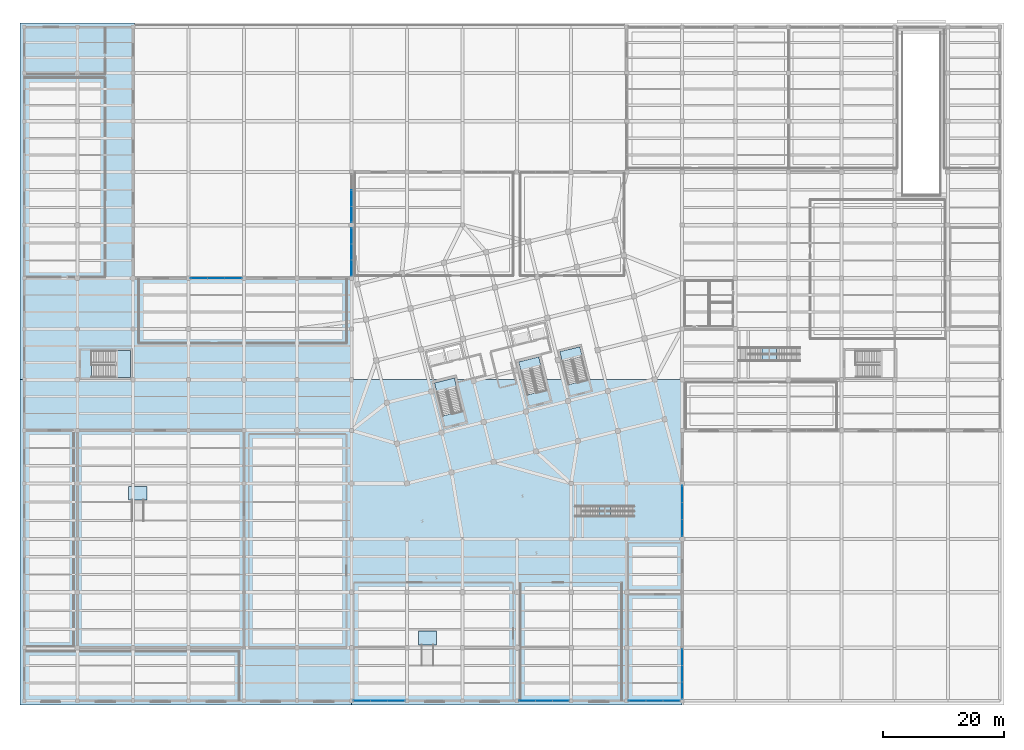
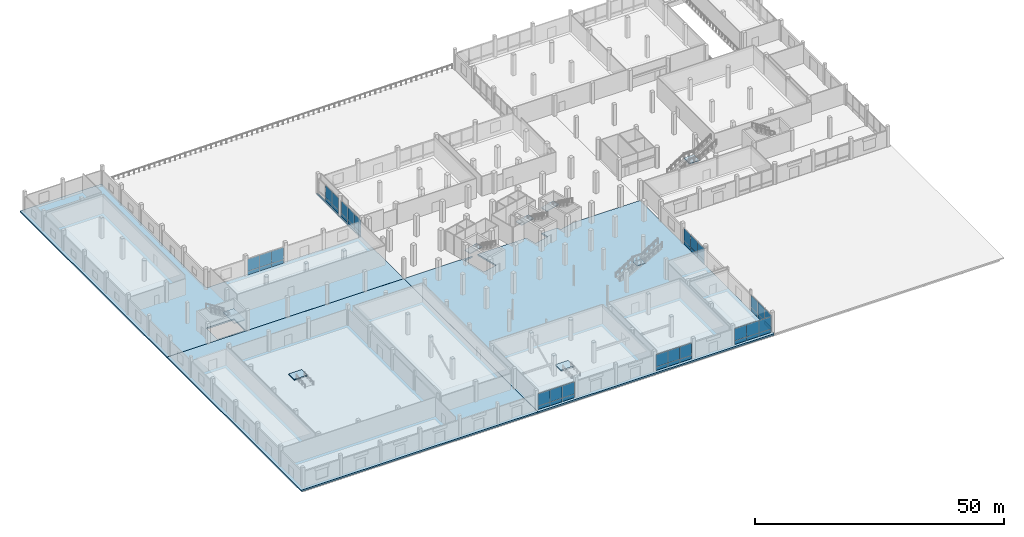
# One storey, part 54 of 73: 46 plates, 11 slabs, 14 elements without a shape of their own.
"""IFC4 building model written with IfcOpenShell, lengths in metres."""

from ifc_helpers import new_model, si_unit, direction, frame, origin, origin_2d, place, context, subcontext, project, spatial, polyline, rectangle, outline, extrude, material, layer, layer_set, type_object, element, aggregate, save


model = new_model("IFC4")

# Units and contexts
model_context = context("Model", 3, precision=1e-05, world=origin(), true_north=direction((0.0, 1.0)))
body_context = subcontext(model_context, "Body", "Model", "MODEL_VIEW")
ifc_project = project(units=[si_unit("LENGTHUNIT", "METRE"), si_unit("AREAUNIT", "SQUARE_METRE"), si_unit("VOLUMEUNIT", "CUBIC_METRE"), si_unit("PLANEANGLEUNIT", "RADIAN"), si_unit("MASSUNIT", "GRAM", prefix="KILO")], contexts=[model_context])

# Site, building, storey
site_placement = place(None, origin())
site = spatial("IfcSite", under=ifc_project, at=site_placement, CompositionType="ELEMENT")
building_placement = place(site_placement, origin())
building = spatial("IfcBuilding", under=site, at=building_placement, Name="Meriwether Solvik Hall", CompositionType="ELEMENT")
storey_placement = place(building_placement, origin())
storey = spatial("IfcBuildingStorey", under=building, at=storey_placement, Name="L00", CompositionType="ELEMENT", Elevation=0.0)

# Curtain wall, plates
ifc_material_1 = material(Name="Thermally Broken Anodised Aluminium 6063-T6 and Low-E Glass", Category="aluminium")
ifc_layer_1 = layer(ifc_material_1, 0.179931640625)
ifc_layer_set_1 = layer_set([ifc_layer_1], Name="Thermally Broken Anodised Aluminium 6063-T6 and Low-E Glass")
curtain_wall_type = type_object("IfcCurtainWallType", Name="CW-SF-POD-A", PredefinedType="USERDEFINED", material=ifc_layer_set_1)
curtain_wall_1_placement = place(storey_placement, origin())
curtain_wall_1 = element("IfcCurtainWall", 1, at=curtain_wall_1_placement, inside=storey, type_object=curtain_wall_type, Name="Curtain Wall wing_XA_7_6 (L00)", ObjectType="STICK STOREFRONT GLAZING", PredefinedType="USERDEFINED")
ifc_material_2 = material(Name="Acoustic Laminated Insulating Glass", Category="glass")
ifc_layer_2 = layer(ifc_material_2, 0.035888671875)
ifc_layer_set_2 = layer_set([ifc_layer_2], Name="Acoustic Laminated Insulating Glass")
plate_type_1 = type_object("IfcPlateType", Name="PLT-GLZ-270X260", PredefinedType="CURTAIN_PANEL", material=ifc_layer_set_2)
plate_1_placement = place(storey_placement, frame((66.822998046875, 5.199951171875, 0.8798828125), z_axis=(0.0, 0.0, 1.0), x_axis=(-1.0, 0.0, 0.0)))
plate_1 = element("IfcPlate", 2, at=plate_1_placement, type_object=plate_type_1, Name="Low-E Vision Glazing Panel 1", PredefinedType="CURTAIN_PANEL", context=body_context, shape_type="SweptSolid", body=[
    extrude(rectangle(XDim=2.7958984375, YDim=0.033935546875, at=origin_2d()), origin(), (0.0, 0.0, 1.0), 3.0),
])
plate_2_placement = place(storey_placement, frame((64.0, 5.199951171875, 0.8798828125), z_axis=(0.0, 0.0, 1.0), x_axis=(-1.0, 0.0, 0.0)))
plate_2 = element("IfcPlate", 3, at=plate_2_placement, type_object=plate_type_1, Name="Low-E Vision Glazing Panel 2", PredefinedType="CURTAIN_PANEL", context=body_context, shape_type="SweptSolid", body=[
    extrude(rectangle(XDim=2.833984375, YDim=0.033935546875, at=origin_2d()), origin(), (0.0, 0.0, 1.0), 3.0),
])
plate_3_placement = place(storey_placement, frame((61.177001953125, 5.199951171875, 0.8798828125), z_axis=(0.0, 0.0, 1.0), x_axis=(-1.0, 0.0, 0.0)))
plate_3 = element("IfcPlate", 4, at=plate_3_placement, type_object=plate_type_1, Name="Low-E Vision Glazing Panel 3", PredefinedType="CURTAIN_PANEL", context=body_context, shape_type="SweptSolid", body=[
    extrude(rectangle(XDim=2.7958984375, YDim=0.033935546875, at=origin_2d()), origin(), (0.0, 0.0, 1.0), 3.0),
])

curtain_wall_2_placement = place(storey_placement, origin())
curtain_wall_2 = element("IfcCurtainWall", 5, at=curtain_wall_2_placement, inside=storey, type_object=curtain_wall_type, Name="Curtain Wall wing_XA_10_9 (L00)", ObjectType="STICK STOREFRONT GLAZING", PredefinedType="USERDEFINED")
plate_4_placement = place(storey_placement, frame((94.056396484375, 5.199951171875, 0.8798828125), z_axis=(0.0, 0.0, 1.0), x_axis=(-1.0, 0.0, 0.0)))
plate_4 = element("IfcPlate", 6, at=plate_4_placement, type_object=plate_type_1, Name="Low-E Vision Glazing Panel 1", PredefinedType="CURTAIN_PANEL", context=body_context, shape_type="SweptSolid", body=[
    extrude(rectangle(XDim=2.729248046875, YDim=0.033935546875, at=origin_2d()), origin(), (0.0, 0.0, 1.0), 3.0),
])
plate_5_placement = place(storey_placement, frame((91.300048828125, 5.199951171875, 0.8798828125), z_axis=(0.0, 0.0, 1.0), x_axis=(-1.0, 0.0, 0.0)))
plate_5 = element("IfcPlate", 7, at=plate_5_placement, type_object=plate_type_1, Name="Low-E Vision Glazing Panel 2", PredefinedType="CURTAIN_PANEL", context=body_context, shape_type="SweptSolid", body=[
    extrude(rectangle(XDim=2.767333984375, YDim=0.033935546875, at=origin_2d()), origin(), (0.0, 0.0, 1.0), 3.0),
])
plate_6_placement = place(storey_placement, frame((88.543701171875, 5.199951171875, 0.8798828125), z_axis=(0.0, 0.0, 1.0), x_axis=(-1.0, 0.0, 0.0)))
plate_6 = element("IfcPlate", 8, at=plate_6_placement, type_object=plate_type_1, Name="Low-E Vision Glazing Panel 3", PredefinedType="CURTAIN_PANEL", context=body_context, shape_type="SweptSolid", body=[
    extrude(rectangle(XDim=2.729248046875, YDim=0.033935546875, at=origin_2d()), origin(), (0.0, 0.0, 1.0), 3.0),
])

curtain_wall_3_placement = place(storey_placement, origin())
curtain_wall_3 = element("IfcCurtainWall", 9, at=curtain_wall_3_placement, inside=storey, type_object=curtain_wall_type, Name="Curtain Wall wing_XA_12_11 (L00)", ObjectType="STICK STOREFRONT GLAZING", PredefinedType="USERDEFINED")
plate_7_placement = place(storey_placement, frame((112.423095703125, 5.199951171875, 0.8798828125), z_axis=(0.0, 0.0, 1.0), x_axis=(-1.0, 0.0, 0.0)))
plate_7 = element("IfcPlate", 10, at=plate_7_placement, type_object=plate_type_1, Name="Low-E Vision Glazing Panel 1", PredefinedType="CURTAIN_PANEL", context=body_context, shape_type="SweptSolid", body=[
    extrude(rectangle(XDim=2.7958984375, YDim=0.033935546875, at=origin_2d()), origin(), (0.0, 0.0, 1.0), 3.0),
])
plate_8_placement = place(storey_placement, frame((109.60009765625, 5.199951171875, 0.8798828125), z_axis=(0.0, 0.0, 1.0), x_axis=(-1.0, 0.0, 0.0)))
plate_8 = element("IfcPlate", 11, at=plate_8_placement, type_object=plate_type_1, Name="Low-E Vision Glazing Panel 2", PredefinedType="CURTAIN_PANEL", context=body_context, shape_type="SweptSolid", body=[
    extrude(rectangle(XDim=2.833984375, YDim=0.033935546875, at=origin_2d()), origin(), (0.0, 0.0, 1.0), 3.0),
])
plate_9_placement = place(storey_placement, frame((106.777099609375, 5.199951171875, 0.8798828125), z_axis=(0.0, 0.0, 1.0), x_axis=(-1.0, 0.0, 0.0)))
plate_9 = element("IfcPlate", 12, at=plate_9_placement, type_object=plate_type_1, Name="Low-E Vision Glazing Panel 3", PredefinedType="CURTAIN_PANEL", context=body_context, shape_type="SweptSolid", body=[
    extrude(rectangle(XDim=2.7958984375, YDim=0.033935546875, at=origin_2d()), origin(), (0.0, 0.0, 1.0), 3.0),
])

curtain_wall_4_placement = place(storey_placement, origin())
curtain_wall_4 = element("IfcCurtainWall", 13, at=curtain_wall_4_placement, inside=storey, type_object=curtain_wall_type, Name="Curtain Wall wing_XI_4_19 (L00)", ObjectType="STICK STOREFRONT GLAZING", PredefinedType="USERDEFINED")
plate_10_placement = place(storey_placement, frame((34.193603515625, 75.199951171875, 0.8798828125), z_axis=(0.0, 0.0, 1.0), x_axis=(1.0, 0.0, 0.0)))
plate_10 = element("IfcPlate", 14, at=plate_10_placement, type_object=plate_type_1, Name="Low-E Vision Glazing Panel 1", PredefinedType="CURTAIN_PANEL", context=body_context, shape_type="SweptSolid", body=[
    extrude(rectangle(XDim=2.779296875, YDim=0.033935546875, at=origin_2d()), origin(), (0.0, 0.0, 1.0), 3.0),
])
plate_11_placement = place(storey_placement, frame((37.0, 75.199951171875, 0.8798828125), z_axis=(0.0, 0.0, 1.0), x_axis=(1.0, 0.0, 0.0)))
plate_11 = element("IfcPlate", 15, at=plate_11_placement, type_object=plate_type_1, Name="Low-E Vision Glazing Panel 2", PredefinedType="CURTAIN_PANEL", context=body_context, shape_type="SweptSolid", body=[
    extrude(rectangle(XDim=2.8173828125, YDim=0.033935546875, at=origin_2d()), origin(), (0.0, 0.0, 1.0), 3.0),
])
plate_12_placement = place(storey_placement, frame((39.806396484375, 75.199951171875, 0.8798828125), z_axis=(0.0, 0.0, 1.0), x_axis=(1.0, 0.0, 0.0)))
plate_12 = element("IfcPlate", 16, at=plate_12_placement, type_object=plate_type_1, Name="Low-E Vision Glazing Panel 3", PredefinedType="CURTAIN_PANEL", context=body_context, shape_type="SweptSolid", body=[
    extrude(rectangle(XDim=2.779296875, YDim=0.033935546875, at=origin_2d()), origin(), (0.0, 0.0, 1.0), 3.0),
])

curtain_wall_5_placement = place(storey_placement, origin())
curtain_wall_5 = element("IfcCurtainWall", 17, at=curtain_wall_5_placement, inside=storey, type_object=curtain_wall_type, Name="Curtain Wall wing_Y7_9_54 (L00)", ObjectType="STICK STOREFRONT GLAZING", PredefinedType="USERDEFINED")
plate_13_placement = place(storey_placement, frame((59.39990234375, 76.910400390625, 0.8798828125), z_axis=(0.0, 0.0, 1.0), x_axis=(0.0, 1.0, 0.0)))
plate_13 = element("IfcPlate", 18, at=plate_13_placement, type_object=plate_type_1, Name="Low-E Vision Glazing Panel 1", PredefinedType="CURTAIN_PANEL", context=body_context, shape_type="SweptSolid", body=[
    extrude(rectangle(XDim=2.61279296875, YDim=0.033935546875, at=origin_2d()), origin(), (0.0, 0.0, 1.0), 3.0),
])
plate_14_placement = place(storey_placement, frame((59.39990234375, 79.550048828125, 0.8798828125), z_axis=(0.0, 0.0, 1.0), x_axis=(0.0, 1.0, 0.0)))
plate_14 = element("IfcPlate", 19, at=plate_14_placement, type_object=plate_type_1, Name="Low-E Vision Glazing Panel 2", PredefinedType="CURTAIN_PANEL", context=body_context, shape_type="SweptSolid", body=[
    extrude(rectangle(XDim=2.650634765625, YDim=0.033935546875, at=origin_2d()), origin(), (0.0, 0.0, 1.0), 3.0),
])
plate_15_placement = place(storey_placement, frame((59.39990234375, 82.189697265625, 0.8798828125), z_axis=(0.0, 0.0, 1.0), x_axis=(0.0, 1.0, 0.0)))
plate_15 = element("IfcPlate", 20, at=plate_15_placement, type_object=plate_type_1, Name="Low-E Vision Glazing Panel 3", PredefinedType="CURTAIN_PANEL", context=body_context, shape_type="SweptSolid", body=[
    extrude(rectangle(XDim=2.61279296875, YDim=0.033935546875, at=origin_2d()), origin(), (0.0, 0.0, 1.0), 3.0),
])

curtain_wall_6_placement = place(storey_placement, origin())
curtain_wall_6 = element("IfcCurtainWall", 21, at=curtain_wall_6_placement, inside=storey, type_object=curtain_wall_type, Name="Curtain Wall wing_Y7_10_55 (L00)", ObjectType="STICK STOREFRONT GLAZING", PredefinedType="USERDEFINED")
plate_16_placement = place(storey_placement, frame((59.39990234375, 85.810302734375, 0.8798828125), z_axis=(0.0, 0.0, 1.0), x_axis=(0.0, 1.0, 0.0)))
plate_16 = element("IfcPlate", 22, at=plate_16_placement, type_object=plate_type_1, Name="Low-E Vision Glazing Panel 1", PredefinedType="CURTAIN_PANEL", context=body_context, shape_type="SweptSolid", body=[
    extrude(rectangle(XDim=2.61279296875, YDim=0.033935546875, at=origin_2d()), origin(), (0.0, 0.0, 1.0), 3.0),
])
plate_17_placement = place(storey_placement, frame((59.39990234375, 88.449951171875, 0.8798828125), z_axis=(0.0, 0.0, 1.0), x_axis=(0.0, 1.0, 0.0)))
plate_17 = element("IfcPlate", 23, at=plate_17_placement, type_object=plate_type_1, Name="Low-E Vision Glazing Panel 2", PredefinedType="CURTAIN_PANEL", context=body_context, shape_type="SweptSolid", body=[
    extrude(rectangle(XDim=2.650634765625, YDim=0.033935546875, at=origin_2d()), origin(), (0.0, 0.0, 1.0), 3.0),
])

curtain_wall_7_placement = place(storey_placement, origin())
curtain_wall_7 = element("IfcCurtainWall", 24, at=curtain_wall_7_placement, inside=storey, type_object=curtain_wall_type, Name="Curtain Wall wing_Y13_1_59 (L00)", ObjectType="STICK STOREFRONT GLAZING", PredefinedType="USERDEFINED")
plate_18_placement = place(storey_placement, frame((114.199951171875, 12.405517578125, 0.8798828125), z_axis=(0.0, 0.0, 1.0), x_axis=(0.0, -1.0, 0.0)))
plate_18 = element("IfcPlate", 25, at=plate_18_placement, type_object=plate_type_1, Name="Low-E Vision Glazing Panel 1", PredefinedType="CURTAIN_PANEL", context=body_context, shape_type="SweptSolid", body=[
    extrude(rectangle(XDim=2.708984375, YDim=0.033935546875, at=origin_2d()), origin(), (0.0, 0.0, 1.0), 3.0),
])
plate_19_placement = place(storey_placement, frame((114.199951171875, 9.66943359375, 0.8798828125), z_axis=(0.0, 0.0, 1.0), x_axis=(0.0, -1.0, 0.0)))
plate_19 = element("IfcPlate", 26, at=plate_19_placement, type_object=plate_type_1, Name="Low-E Vision Glazing Panel 2", PredefinedType="CURTAIN_PANEL", context=body_context, shape_type="SweptSolid", body=[
    extrude(rectangle(XDim=2.7470703125, YDim=0.033935546875, at=origin_2d()), origin(), (0.0, 0.0, 1.0), 3.0),
])
plate_20_placement = place(storey_placement, frame((114.199951171875, 6.93359375, 0.8798828125), z_axis=(0.0, 0.0, 1.0), x_axis=(0.0, -1.0, 0.0)))
plate_20 = element("IfcPlate", 27, at=plate_20_placement, type_object=plate_type_1, Name="Low-E Vision Glazing Panel 3", PredefinedType="CURTAIN_PANEL", context=body_context, shape_type="SweptSolid", body=[
    extrude(rectangle(XDim=2.708984375, YDim=0.033935546875, at=origin_2d()), origin(), (0.0, 0.0, 1.0), 3.0),
])

curtain_wall_8_placement = place(storey_placement, origin())
curtain_wall_8 = element("IfcCurtainWall", 28, at=curtain_wall_8_placement, inside=storey, type_object=curtain_wall_type, Name="Curtain Wall wing_Y13_4_62 (L00)", ObjectType="STICK STOREFRONT GLAZING", PredefinedType="USERDEFINED")
plate_21_placement = place(storey_placement, frame((114.199951171875, 39.423095703125, 0.8798828125), z_axis=(0.0, 0.0, 1.0), x_axis=(0.0, -1.0, 0.0)))
plate_21 = element("IfcPlate", 29, at=plate_21_placement, type_object=plate_type_1, Name="Low-E Vision Glazing Panel 1", PredefinedType="CURTAIN_PANEL", context=body_context, shape_type="SweptSolid", body=[
    extrude(rectangle(XDim=2.74609375, YDim=0.033935546875, at=origin_2d()), origin(), (0.0, 0.0, 1.0), 3.0),
])
plate_22_placement = place(storey_placement, frame((114.199951171875, 36.64990234375, 0.8798828125), z_axis=(0.0, 0.0, 1.0), x_axis=(0.0, -1.0, 0.0)))
plate_22 = element("IfcPlate", 30, at=plate_22_placement, type_object=plate_type_1, Name="Low-E Vision Glazing Panel 2", PredefinedType="CURTAIN_PANEL", context=body_context, shape_type="SweptSolid", body=[
    extrude(rectangle(XDim=2.783935546875, YDim=0.033935546875, at=origin_2d()), origin(), (0.0, 0.0, 1.0), 3.0),
])
plate_23_placement = place(storey_placement, frame((114.199951171875, 33.876953125, 0.8798828125), z_axis=(0.0, 0.0, 1.0), x_axis=(0.0, -1.0, 0.0)))
plate_23 = element("IfcPlate", 31, at=plate_23_placement, type_object=plate_type_1, Name="Low-E Vision Glazing Panel 3", PredefinedType="CURTAIN_PANEL", context=body_context, shape_type="SweptSolid", body=[
    extrude(rectangle(XDim=2.74609375, YDim=0.033935546875, at=origin_2d()), origin(), (0.0, 0.0, 1.0), 3.0),
])

# Plate
ifc_material_3 = material(Name="Mineral-Wool Insulated Anodised Aluminium 6063-T6", Category="aluminium")
ifc_layer_3 = layer(ifc_material_3, 0.044921875)
ifc_layer_set_3 = layer_set([ifc_layer_3], Name="Mineral-Wool Insulated Anodised Aluminium 6063-T6")
plate_type_2 = type_object("IfcPlateType", Name="PLT-SPN-270X105", PredefinedType="CURTAIN_PANEL", material=ifc_layer_set_3)
plate_24_placement = place(storey_placement, frame((66.822998046875, 5.199951171875, 0.0), z_axis=(0.0, 0.0, 1.0), x_axis=(-1.0, 0.0, 0.0)))
plate_24 = element("IfcPlate", 32, at=plate_24_placement, type_object=plate_type_2, Name="Insulated Spandrel Panel 1", PredefinedType="CURTAIN_PANEL", context=body_context, shape_type="SweptSolid", body=[
    extrude(rectangle(XDim=2.7958984375, YDim=0.044921875, at=origin_2d()), origin(), (0.0, 0.0, 1.0), 0.8798828125),
])

plate_25_placement = place(storey_placement, frame((64.0, 5.199951171875, 0.0), z_axis=(0.0, 0.0, 1.0), x_axis=(-1.0, 0.0, 0.0)))
plate_25 = element("IfcPlate", 33, at=plate_25_placement, type_object=plate_type_2, Name="Insulated Spandrel Panel 2", PredefinedType="CURTAIN_PANEL", context=body_context, shape_type="SweptSolid", body=[
    extrude(rectangle(XDim=2.833984375, YDim=0.044921875, at=origin_2d()), origin(), (0.0, 0.0, 1.0), 0.8798828125),
])

plate_26_placement = place(storey_placement, frame((61.177001953125, 5.199951171875, 0.0), z_axis=(0.0, 0.0, 1.0), x_axis=(-1.0, 0.0, 0.0)))
plate_26 = element("IfcPlate", 34, at=plate_26_placement, type_object=plate_type_2, Name="Insulated Spandrel Panel 3", PredefinedType="CURTAIN_PANEL", context=body_context, shape_type="SweptSolid", body=[
    extrude(rectangle(XDim=2.7958984375, YDim=0.044921875, at=origin_2d()), origin(), (0.0, 0.0, 1.0), 0.8798828125),
])

aggregate(curtain_wall_1, [plate_24, plate_1, plate_25, plate_2, plate_26, plate_3])

plate_27_placement = place(storey_placement, frame((94.056396484375, 5.199951171875, 0.0), z_axis=(0.0, 0.0, 1.0), x_axis=(-1.0, 0.0, 0.0)))
plate_27 = element("IfcPlate", 35, at=plate_27_placement, type_object=plate_type_2, Name="Insulated Spandrel Panel 1", PredefinedType="CURTAIN_PANEL", context=body_context, shape_type="SweptSolid", body=[
    extrude(rectangle(XDim=2.729248046875, YDim=0.044921875, at=origin_2d()), origin(), (0.0, 0.0, 1.0), 0.8798828125),
])

plate_28_placement = place(storey_placement, frame((91.300048828125, 5.199951171875, 0.0), z_axis=(0.0, 0.0, 1.0), x_axis=(-1.0, 0.0, 0.0)))
plate_28 = element("IfcPlate", 36, at=plate_28_placement, type_object=plate_type_2, Name="Insulated Spandrel Panel 2", PredefinedType="CURTAIN_PANEL", context=body_context, shape_type="SweptSolid", body=[
    extrude(rectangle(XDim=2.767333984375, YDim=0.044921875, at=origin_2d()), origin(), (0.0, 0.0, 1.0), 0.8798828125),
])

plate_29_placement = place(storey_placement, frame((88.543701171875, 5.199951171875, 0.0), z_axis=(0.0, 0.0, 1.0), x_axis=(-1.0, 0.0, 0.0)))
plate_29 = element("IfcPlate", 37, at=plate_29_placement, type_object=plate_type_2, Name="Insulated Spandrel Panel 3", PredefinedType="CURTAIN_PANEL", context=body_context, shape_type="SweptSolid", body=[
    extrude(rectangle(XDim=2.729248046875, YDim=0.044921875, at=origin_2d()), origin(), (0.0, 0.0, 1.0), 0.8798828125),
])

aggregate(curtain_wall_2, [plate_27, plate_4, plate_28, plate_5, plate_29, plate_6])

plate_30_placement = place(storey_placement, frame((112.423095703125, 5.199951171875, 0.0), z_axis=(0.0, 0.0, 1.0), x_axis=(-1.0, 0.0, 0.0)))
plate_30 = element("IfcPlate", 38, at=plate_30_placement, type_object=plate_type_2, Name="Insulated Spandrel Panel 1", PredefinedType="CURTAIN_PANEL", context=body_context, shape_type="SweptSolid", body=[
    extrude(rectangle(XDim=2.7958984375, YDim=0.044921875, at=origin_2d()), origin(), (0.0, 0.0, 1.0), 0.8798828125),
])

plate_31_placement = place(storey_placement, frame((109.60009765625, 5.199951171875, 0.0), z_axis=(0.0, 0.0, 1.0), x_axis=(-1.0, 0.0, 0.0)))
plate_31 = element("IfcPlate", 39, at=plate_31_placement, type_object=plate_type_2, Name="Insulated Spandrel Panel 2", PredefinedType="CURTAIN_PANEL", context=body_context, shape_type="SweptSolid", body=[
    extrude(rectangle(XDim=2.833984375, YDim=0.044921875, at=origin_2d()), origin(), (0.0, 0.0, 1.0), 0.8798828125),
])

plate_32_placement = place(storey_placement, frame((106.777099609375, 5.199951171875, 0.0), z_axis=(0.0, 0.0, 1.0), x_axis=(-1.0, 0.0, 0.0)))
plate_32 = element("IfcPlate", 40, at=plate_32_placement, type_object=plate_type_2, Name="Insulated Spandrel Panel 3", PredefinedType="CURTAIN_PANEL", context=body_context, shape_type="SweptSolid", body=[
    extrude(rectangle(XDim=2.7958984375, YDim=0.044921875, at=origin_2d()), origin(), (0.0, 0.0, 1.0), 0.8798828125),
])

aggregate(curtain_wall_3, [plate_30, plate_7, plate_31, plate_8, plate_32, plate_9])

plate_33_placement = place(storey_placement, frame((34.193603515625, 75.199951171875, 0.0), z_axis=(0.0, 0.0, 1.0), x_axis=(1.0, 0.0, 0.0)))
plate_33 = element("IfcPlate", 41, at=plate_33_placement, type_object=plate_type_2, Name="Insulated Spandrel Panel 1", PredefinedType="CURTAIN_PANEL", context=body_context, shape_type="SweptSolid", body=[
    extrude(rectangle(XDim=2.779296875, YDim=0.044921875, at=origin_2d()), origin(), (0.0, 0.0, 1.0), 0.8798828125),
])

plate_34_placement = place(storey_placement, frame((37.0, 75.199951171875, 0.0), z_axis=(0.0, 0.0, 1.0), x_axis=(1.0, 0.0, 0.0)))
plate_34 = element("IfcPlate", 42, at=plate_34_placement, type_object=plate_type_2, Name="Insulated Spandrel Panel 2", PredefinedType="CURTAIN_PANEL", context=body_context, shape_type="SweptSolid", body=[
    extrude(rectangle(XDim=2.8173828125, YDim=0.044921875, at=origin_2d()), origin(), (0.0, 0.0, 1.0), 0.8798828125),
])

plate_35_placement = place(storey_placement, frame((39.806396484375, 75.199951171875, 0.0), z_axis=(0.0, 0.0, 1.0), x_axis=(1.0, 0.0, 0.0)))
plate_35 = element("IfcPlate", 43, at=plate_35_placement, type_object=plate_type_2, Name="Insulated Spandrel Panel 3", PredefinedType="CURTAIN_PANEL", context=body_context, shape_type="SweptSolid", body=[
    extrude(rectangle(XDim=2.779296875, YDim=0.044921875, at=origin_2d()), origin(), (0.0, 0.0, 1.0), 0.8798828125),
])

aggregate(curtain_wall_4, [plate_33, plate_10, plate_34, plate_11, plate_35, plate_12])

plate_36_placement = place(storey_placement, frame((59.39990234375, 76.910400390625, 0.0), z_axis=(0.0, 0.0, 1.0), x_axis=(0.0, 1.0, 0.0)))
plate_36 = element("IfcPlate", 44, at=plate_36_placement, type_object=plate_type_2, Name="Insulated Spandrel Panel 1", PredefinedType="CURTAIN_PANEL", context=body_context, shape_type="SweptSolid", body=[
    extrude(rectangle(XDim=2.61279296875, YDim=0.044921875, at=origin_2d()), origin(), (0.0, 0.0, 1.0), 0.8798828125),
])

plate_37_placement = place(storey_placement, frame((59.39990234375, 79.550048828125, 0.0), z_axis=(0.0, 0.0, 1.0), x_axis=(0.0, 1.0, 0.0)))
plate_37 = element("IfcPlate", 45, at=plate_37_placement, type_object=plate_type_2, Name="Insulated Spandrel Panel 2", PredefinedType="CURTAIN_PANEL", context=body_context, shape_type="SweptSolid", body=[
    extrude(rectangle(XDim=2.650634765625, YDim=0.044921875, at=origin_2d()), origin(), (0.0, 0.0, 1.0), 0.8798828125),
])

plate_38_placement = place(storey_placement, frame((59.39990234375, 82.189697265625, 0.0), z_axis=(0.0, 0.0, 1.0), x_axis=(0.0, 1.0, 0.0)))
plate_38 = element("IfcPlate", 46, at=plate_38_placement, type_object=plate_type_2, Name="Insulated Spandrel Panel 3", PredefinedType="CURTAIN_PANEL", context=body_context, shape_type="SweptSolid", body=[
    extrude(rectangle(XDim=2.61279296875, YDim=0.044921875, at=origin_2d()), origin(), (0.0, 0.0, 1.0), 0.8798828125),
])

aggregate(curtain_wall_5, [plate_36, plate_13, plate_37, plate_14, plate_38, plate_15])

plate_39_placement = place(storey_placement, frame((59.39990234375, 85.810302734375, 0.0), z_axis=(0.0, 0.0, 1.0), x_axis=(0.0, 1.0, 0.0)))
plate_39 = element("IfcPlate", 47, at=plate_39_placement, type_object=plate_type_2, Name="Insulated Spandrel Panel 1", PredefinedType="CURTAIN_PANEL", context=body_context, shape_type="SweptSolid", body=[
    extrude(rectangle(XDim=2.61279296875, YDim=0.044921875, at=origin_2d()), origin(), (0.0, 0.0, 1.0), 0.8798828125),
])

plate_40_placement = place(storey_placement, frame((59.39990234375, 88.449951171875, 0.0), z_axis=(0.0, 0.0, 1.0), x_axis=(0.0, 1.0, 0.0)))
plate_40 = element("IfcPlate", 48, at=plate_40_placement, type_object=plate_type_2, Name="Insulated Spandrel Panel 2", PredefinedType="CURTAIN_PANEL", context=body_context, shape_type="SweptSolid", body=[
    extrude(rectangle(XDim=2.650634765625, YDim=0.044921875, at=origin_2d()), origin(), (0.0, 0.0, 1.0), 0.8798828125),
])

aggregate(curtain_wall_6, [plate_39, plate_16, plate_40, plate_17])

plate_41_placement = place(storey_placement, frame((114.199951171875, 12.405517578125, 0.0), z_axis=(0.0, 0.0, 1.0), x_axis=(0.0, -1.0, 0.0)))
plate_41 = element("IfcPlate", 49, at=plate_41_placement, type_object=plate_type_2, Name="Insulated Spandrel Panel 1", PredefinedType="CURTAIN_PANEL", context=body_context, shape_type="SweptSolid", body=[
    extrude(rectangle(XDim=2.708984375, YDim=0.044921875, at=origin_2d()), origin(), (0.0, 0.0, 1.0), 0.8798828125),
])

plate_42_placement = place(storey_placement, frame((114.199951171875, 9.66943359375, 0.0), z_axis=(0.0, 0.0, 1.0), x_axis=(0.0, -1.0, 0.0)))
plate_42 = element("IfcPlate", 50, at=plate_42_placement, type_object=plate_type_2, Name="Insulated Spandrel Panel 2", PredefinedType="CURTAIN_PANEL", context=body_context, shape_type="SweptSolid", body=[
    extrude(rectangle(XDim=2.7470703125, YDim=0.044921875, at=origin_2d()), origin(), (0.0, 0.0, 1.0), 0.8798828125),
])

plate_43_placement = place(storey_placement, frame((114.199951171875, 6.93359375, 0.0), z_axis=(0.0, 0.0, 1.0), x_axis=(0.0, -1.0, 0.0)))
plate_43 = element("IfcPlate", 51, at=plate_43_placement, type_object=plate_type_2, Name="Insulated Spandrel Panel 3", PredefinedType="CURTAIN_PANEL", context=body_context, shape_type="SweptSolid", body=[
    extrude(rectangle(XDim=2.708984375, YDim=0.044921875, at=origin_2d()), origin(), (0.0, 0.0, 1.0), 0.8798828125),
])

aggregate(curtain_wall_7, [plate_41, plate_18, plate_42, plate_19, plate_43, plate_20])

plate_44_placement = place(storey_placement, frame((114.199951171875, 39.423095703125, 0.0), z_axis=(0.0, 0.0, 1.0), x_axis=(0.0, -1.0, 0.0)))
plate_44 = element("IfcPlate", 52, at=plate_44_placement, type_object=plate_type_2, Name="Insulated Spandrel Panel 1", PredefinedType="CURTAIN_PANEL", context=body_context, shape_type="SweptSolid", body=[
    extrude(rectangle(XDim=2.74609375, YDim=0.044921875, at=origin_2d()), origin(), (0.0, 0.0, 1.0), 0.8798828125),
])

plate_45_placement = place(storey_placement, frame((114.199951171875, 36.64990234375, 0.0), z_axis=(0.0, 0.0, 1.0), x_axis=(0.0, -1.0, 0.0)))
plate_45 = element("IfcPlate", 53, at=plate_45_placement, type_object=plate_type_2, Name="Insulated Spandrel Panel 2", PredefinedType="CURTAIN_PANEL", context=body_context, shape_type="SweptSolid", body=[
    extrude(rectangle(XDim=2.783935546875, YDim=0.044921875, at=origin_2d()), origin(), (0.0, 0.0, 1.0), 0.8798828125),
])

plate_46_placement = place(storey_placement, frame((114.199951171875, 33.876953125, 0.0), z_axis=(0.0, 0.0, 1.0), x_axis=(0.0, -1.0, 0.0)))
plate_46 = element("IfcPlate", 54, at=plate_46_placement, type_object=plate_type_2, Name="Insulated Spandrel Panel 3", PredefinedType="CURTAIN_PANEL", context=body_context, shape_type="SweptSolid", body=[
    extrude(rectangle(XDim=2.74609375, YDim=0.044921875, at=origin_2d()), origin(), (0.0, 0.0, 1.0), 0.8798828125),
])

aggregate(curtain_wall_8, [plate_44, plate_21, plate_45, plate_22, plate_46, plate_23])

# Slabs
ifc_material_4 = material(Name="Concrete C40/50", Category="concrete")
ifc_layer_4 = layer(ifc_material_4, 0.280029296875)
ifc_layer_set_4 = layer_set([ifc_layer_4], Name="Concrete C40/50")
slab_type_1 = type_object("IfcSlabType", Name="SLB-DAIS-280", PredefinedType="FLOOR", material=ifc_layer_set_4)
slab_1_placement = place(storey_placement, origin())
element("IfcSlab", 55, at=slab_1_placement, inside=storey, type_object=slab_type_1, Name="Accessible Speaker Dais AR1 (L00)", PredefinedType="FLOOR", context=body_context, shape_type="SweptSolid", body=[
    extrude(outline(polyline([(22.5, 38.48193359375), (25.5, 38.48193359375), (25.5, 40.739990234375), (22.5, 40.739990234375), (22.5, 38.48193359375)])), origin(), (0.0, 0.0, 1.0), 0.280029296875),
])
slab_2_placement = place(storey_placement, origin())
element("IfcSlab", 56, at=slab_2_placement, inside=storey, type_object=slab_type_1, Name="Accessible Speaker Dais AR2 (L00)", PredefinedType="FLOOR", context=body_context, shape_type="SweptSolid", body=[
    extrude(outline(polyline([(70.5, 14.48193359375), (73.5, 14.48193359375), (73.5, 16.739990234375), (70.5, 16.739990234375), (70.5, 14.48193359375)])), origin(), (0.0, 0.0, 1.0), 0.280029296875),
])

# Stair, slab
ifc_material_5 = material(Name="Glulam Douglas-Fir 24F-V8 GL28h", Category="wood")
stair_type_1 = type_object("IfcStairType", Name="STR-OPEN-ATRIUM", PredefinedType="TWO_STRAIGHT_RUN_STAIR", material=ifc_material_5)
stair_1_placement = place(storey_placement, origin())
stair_1 = element("IfcStair", 57, at=stair_1_placement, inside=storey, type_object=stair_type_1, Name="Architectural Stair ST-AT1 (L00-L01)", PredefinedType="TWO_STRAIGHT_RUN_STAIR")
ifc_material_6 = material(Name="Cross-Laminated Timber PRG 320 E1", Category="wood")
ifc_layer_5 = layer(ifc_material_6, 0.175048828125)
ifc_layer_set_5 = layer_set([ifc_layer_5], Name="Cross-Laminated Timber PRG 320 E1")
slab_type_2 = type_object("IfcSlabType", Name="SLB-LND-175", PredefinedType="LANDING", material=ifc_layer_set_5)
slab_3_placement = place(storey_placement, frame((0.0, 0.0, 2.375)))
slab_3 = element("IfcSlab", 58, at=slab_3_placement, type_object=slab_type_2, Name="Stair ST-AT1 Intermediate Landing", PredefinedType="LANDING", context=body_context, shape_type="SweptSolid", body=[
    extrude(outline(polyline([(100.402099609375, 35.699951171875), (102.337890625, 35.699951171875), (102.337890625, 37.5), (100.402099609375, 37.5), (100.402099609375, 35.699951171875)])), origin(), (0.0, 0.0, 1.0), 0.175048828125),
])
aggregate(stair_1, [slab_3])

ifc_material_7 = material(Name="Glulam Douglas-Fir 24F-V8 GL28h", Category="wood")
stair_type_2 = type_object("IfcStairType", Name="STR-OPEN-LIB-W", PredefinedType="TWO_STRAIGHT_RUN_STAIR", material=ifc_material_7)
stair_2_placement = place(storey_placement, origin())
stair_2 = element("IfcStair", 59, at=stair_2_placement, inside=storey, type_object=stair_type_2, Name="Architectural Stair ST-LB2 (L00-L01)", PredefinedType="TWO_STRAIGHT_RUN_STAIR")
slab_4_placement = place(storey_placement, frame((0.0, 0.0, 2.375)))
slab_4 = element("IfcSlab", 60, at=slab_4_placement, type_object=slab_type_2, Name="Stair ST-LB2 Intermediate Landing", PredefinedType="LANDING", context=body_context, shape_type="SweptSolid", body=[
    extrude(outline(polyline([(127.451904296875, 61.449951171875), (129.7880859375, 61.449951171875), (129.7880859375, 63.75), (127.451904296875, 63.75), (127.451904296875, 61.449951171875)])), origin(), (0.0, 0.0, 1.0), 0.175048828125),
])
aggregate(stair_2, [slab_4])

ifc_material_8 = material(Name="Concrete C40/50", Category="concrete")
stair_type_3 = type_object("IfcStairType", Name="STR-CORE-DOGLEG-B", PredefinedType="TWO_STRAIGHT_RUN_STAIR", material=ifc_material_8)
stair_3_placement = place(storey_placement, origin())
stair_3 = element("IfcStair", 61, at=stair_3_placement, inside=storey, type_object=stair_type_3, Name="Exit Stair ST-01 (L00)", PredefinedType="TWO_STRAIGHT_RUN_STAIR")
ifc_material_9 = material(Name="Concrete C40/50", Category="concrete")
ifc_layer_6 = layer(ifc_material_9, 0.199951171875)
ifc_layer_set_6 = layer_set([ifc_layer_6], Name="Concrete C40/50")
slab_type_3 = type_object("IfcSlabType", Name="SLB-LND-200", PredefinedType="LANDING", material=ifc_layer_set_6)
slab_5_placement = place(storey_placement, frame((0.0, 0.0, 2.35009765625)))
slab_5 = element("IfcSlab", 62, at=slab_5_placement, type_object=slab_type_3, Name="Stair ST-01 Half Landing (L00)", PredefinedType="LANDING", context=body_context, shape_type="SweptSolid", body=[
    extrude(outline(polyline([(73.55908203125, 56.2177734375), (76.867919921875, 57.042724609375), (76.460693359375, 58.67578125), (73.152099609375, 57.850830078125), (73.55908203125, 56.2177734375)])), origin(), (0.0, 0.0, 1.0), 0.199951171875),
])
aggregate(stair_3, [slab_5])

stair_4_placement = place(storey_placement, origin())
stair_4 = element("IfcStair", 63, at=stair_4_placement, inside=storey, type_object=stair_type_3, Name="Exit Stair ST-02 (L00)", PredefinedType="TWO_STRAIGHT_RUN_STAIR")
slab_6_placement = place(storey_placement, frame((0.0, 0.0, 2.35009765625)))
slab_6 = element("IfcSlab", 64, at=slab_6_placement, type_object=slab_type_3, Name="Stair ST-02 Half Landing (L00)", PredefinedType="LANDING", context=body_context, shape_type="SweptSolid", body=[
    extrude(outline(polyline([(87.531494140625, 59.701416015625), (90.840087890625, 60.5263671875), (90.432861328125, 62.159423828125), (87.124267578125, 61.33447265625), (87.531494140625, 59.701416015625)])), origin(), (0.0, 0.0, 1.0), 0.199951171875),
])
aggregate(stair_4, [slab_6])

stair_5_placement = place(storey_placement, origin())
stair_5 = element("IfcStair", 65, at=stair_5_placement, inside=storey, type_object=stair_type_3, Name="Exit Stair ST-03 (L00)", PredefinedType="TWO_STRAIGHT_RUN_STAIR")
slab_7_placement = place(storey_placement, frame((0.0, 0.0, 2.35009765625)))
slab_7 = element("IfcSlab", 66, at=slab_7_placement, type_object=slab_type_3, Name="Stair ST-03 Half Landing (L00)", PredefinedType="LANDING", context=body_context, shape_type="SweptSolid", body=[
    extrude(outline(polyline([(94.323486328125, 61.39501953125), (97.63232421875, 62.219970703125), (97.22509765625, 63.85302734375), (93.916259765625, 63.028076171875), (94.323486328125, 61.39501953125)])), origin(), (0.0, 0.0, 1.0), 0.199951171875),
])
aggregate(stair_5, [slab_7])

ifc_material_10 = material(Name="Concrete C40/50", Category="concrete")
stair_type_4 = type_object("IfcStairType", Name="STR-CORE-WIDE", PredefinedType="TWO_STRAIGHT_RUN_STAIR", material=ifc_material_10)
stair_6_placement = place(storey_placement, origin())
stair_6 = element("IfcStair", 67, at=stair_6_placement, inside=storey, type_object=stair_type_4, Name="Exit Stair ST-04 (L00)", PredefinedType="TWO_STRAIGHT_RUN_STAIR")
slab_8_placement = place(storey_placement, frame((0.0, 0.0, 2.35009765625)))
slab_8 = element("IfcSlab", 68, at=slab_8_placement, type_object=slab_type_3, Name="Stair ST-04 Half Landing (L00)", PredefinedType="LANDING", context=body_context, shape_type="SweptSolid", body=[
    extrude(outline(polyline([(20.322021484375, 58.7451171875), (22.804931640625, 58.7451171875), (22.804931640625, 63.2548828125), (20.322021484375, 63.2548828125), (20.322021484375, 58.7451171875)])), origin(), (0.0, 0.0, 1.0), 0.199951171875),
])
aggregate(stair_6, [slab_8])

# Slabs
ifc_material_11 = material(Name="Concrete C40/50", Category="concrete")
ifc_layer_7 = layer(ifc_material_11, 0.360107421875)
ifc_layer_set_7 = layer_set([ifc_layer_7], Name="Concrete C40/50")
slab_type_4 = type_object("IfcSlabType", Name="SLB-RC-360", PredefinedType="FLOOR", material=ifc_layer_set_7)
slab_9_placement = place(storey_placement, frame((0.0, 0.0, -0.360107421875)))
element("IfcSlab", 69, at=slab_9_placement, inside=storey, type_object=slab_type_4, Name="L00 Structural Slab Zone 1", PredefinedType="FLOOR", context=body_context, shape_type="SweptSolid", body=[
    extrude(outline(polyline([(59.39697265625, 4.5), (4.5, 4.5), (4.5, 58.39697265625), (59.39697265625, 58.39697265625), (59.39697265625, 4.5)])), origin(), (0.0, 0.0, 1.0), 0.360107421875),
])
slab_10_placement = place(storey_placement, frame((0.0, 0.0, -0.360107421875)))
element("IfcSlab", 70, at=slab_10_placement, inside=storey, type_object=slab_type_4, Name="L00 Structural Slab Zone 2", PredefinedType="FLOOR", context=body_context, shape_type="SweptSolid", body=[
    extrude(outline(polyline([(4.5, 58.403076171875), (4.5, 117.5), (23.43994140625, 117.5), (23.43994140625, 75.43994140625), (59.159912109375, 75.43994140625), (59.159912109375, 93.0400390625), (59.39697265625, 93.0400390625), (59.39697265625, 58.403076171875), (4.5, 58.403076171875)]), holes=[polyline([(22.800048828125, 58.75), (22.800048828125, 63.25), (16.367919921875, 63.25), (16.367919921875, 58.75), (22.800048828125, 58.75)])]), origin(), (0.0, 0.0, 1.0), 0.360107421875),
])
slab_11_placement = place(storey_placement, frame((0.0, 0.0, -0.360107421875)))
element("IfcSlab", 71, at=slab_11_placement, inside=storey, type_object=slab_type_4, Name="L00 Structural Slab Zone 3", PredefinedType="FLOOR", context=body_context, shape_type="SweptSolid", body=[
    extrude(outline(polyline([(75.36328125, 58.39697265625), (73.157958984375, 57.84716796875), (74.5205078125, 52.382568359375), (77.819580078125, 53.205078125), (76.525146484375, 58.39697265625), (87.86181640625, 58.39697265625), (88.492919921875, 55.8662109375), (91.791748046875, 56.688720703125), (91.365966796875, 58.39697265625), (95.076171875, 58.39697265625), (95.284912109375, 57.5595703125), (98.583984375, 58.382080078125), (98.580322265625, 58.39697265625), (114.197021484375, 58.39697265625), (114.197021484375, 4.5), (59.403076171875, 4.5), (59.403076171875, 58.39697265625), (75.36328125, 58.39697265625)])), origin(), (0.0, 0.0, 1.0), 0.360107421875),
])

save(model, "model.ifc")
